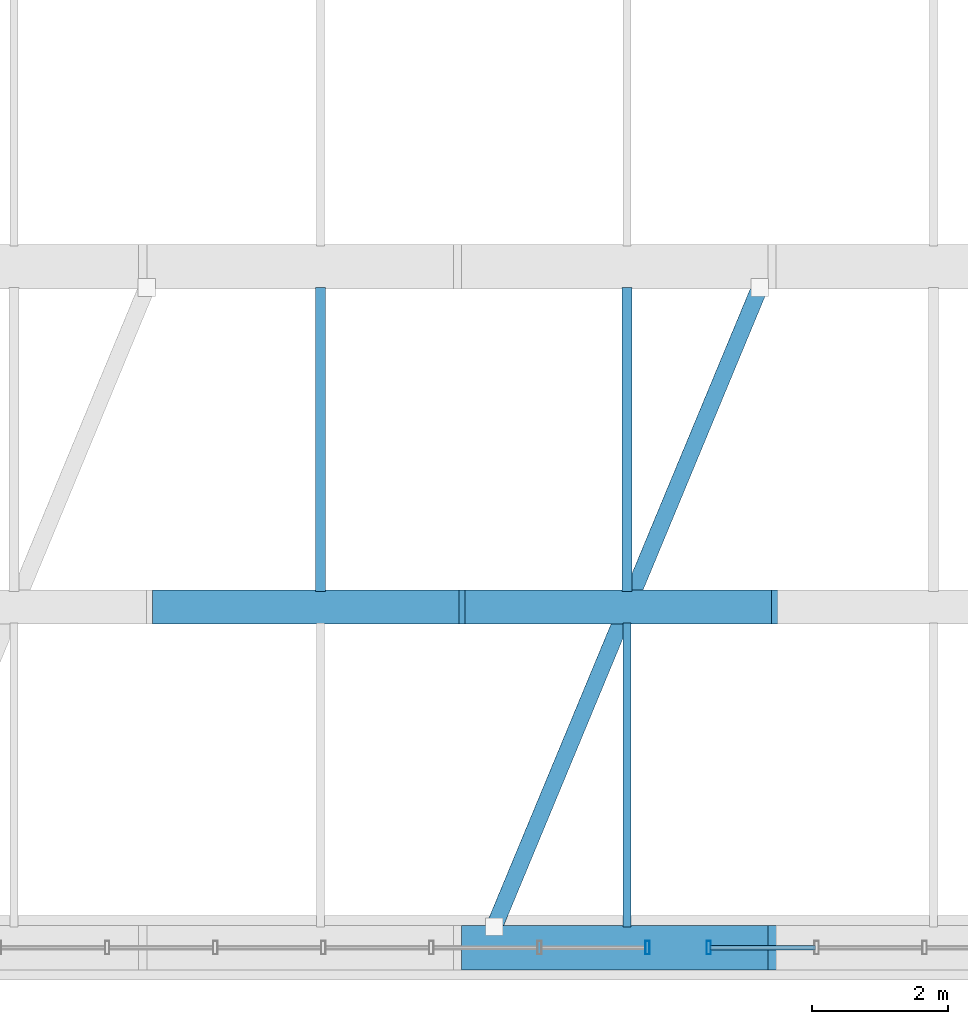
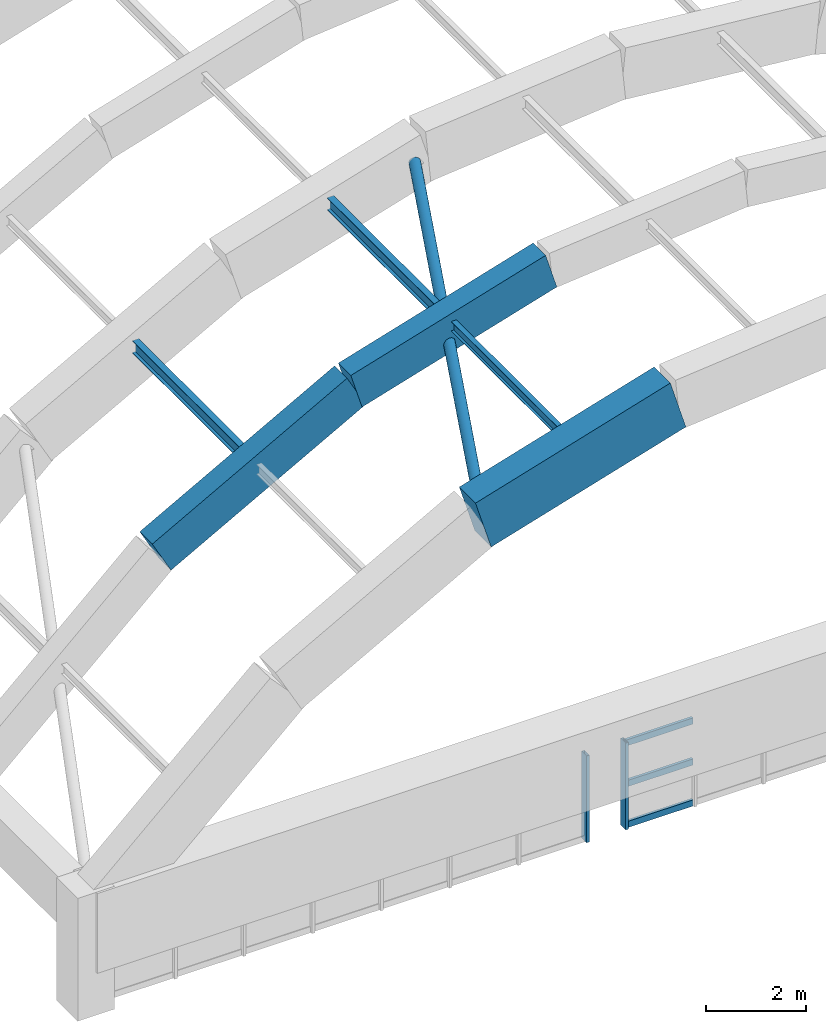
# One storey, part 62 of 111: 9 members, 3 beams, 2 elements without a shape of their own.
"""IFC4 building model written with IfcOpenShell, lengths in metres."""

from ifc_helpers import new_model, si_unit, direction, frame, origin, origin_2d, place, context, subcontext, project, spatial, rectangle, hollow_rectangle, hollow_circle, i_section, extrude, material, layer, layer_set, material_profile, profile_set, type_object, element, aggregate, save


model = new_model("IFC4")

# Units and contexts
model_context = context("Model", 3, precision=1e-05, world=origin(), true_north=direction((0.0, 1.0)))
body_context = subcontext(model_context, "Body", "Model", "MODEL_VIEW")
ifc_project = project(units=[si_unit("LENGTHUNIT", "METRE"), si_unit("AREAUNIT", "SQUARE_METRE"), si_unit("VOLUMEUNIT", "CUBIC_METRE"), si_unit("PLANEANGLEUNIT", "RADIAN"), si_unit("MASSUNIT", "GRAM", prefix="KILO")], contexts=[model_context])

# Site, building, storey
site_placement = place(None, origin())
site = spatial("IfcSite", under=ifc_project, at=site_placement, CompositionType="ELEMENT")
building_placement = place(site_placement, origin())
building = spatial("IfcBuilding", under=site, at=building_placement, Name="Mersad Railyard Sports Hall", CompositionType="ELEMENT")
storey_placement = place(building_placement, frame((0.0, 0.0, 9.0)))
storey = spatial("IfcBuildingStorey", under=building, at=storey_placement, Name="L02", CompositionType="ELEMENT", Elevation=9.0)

# Curtain wall, member
ifc_material_1 = material(Name="Aluminium 6063-T6", Category="aluminium")
ifc_layer_1 = layer(ifc_material_1, 0.199951171875)
ifc_layer_set_1 = layer_set([ifc_layer_1], Name="Aluminium 6063-T6")
curtain_wall_type_1 = type_object("IfcCurtainWallType", Name="ARC-CW-CW11", PredefinedType="USERDEFINED", material=ifc_layer_set_1)
curtain_wall_1_placement = place(storey_placement, origin())
curtain_wall_1 = element("IfcCurtainWall", 1, at=curtain_wall_1_placement, inside=storey, type_object=curtain_wall_type_1, Name="Curtain wall CW11-0038", ObjectType="CURTAIN WALL", PredefinedType="USERDEFINED")
ifc_material_profile_1 = material_profile(ifc_material_1, hollow_rectangle(XDim=0.06494140625, YDim=0.199951171875, WallThickness=0.0048828125, at=origin_2d()), Name="AL MULLION 65x200x5")
ifc_profile_set_1 = profile_set([ifc_material_profile_1], Name="Aluminium 6063-T6")
member_type_1 = type_object("IfcMemberType", Name="ARC-CW-MUL02", PredefinedType="MULLION", material=ifc_profile_set_1)
member_1_placement = place(storey_placement, frame((148.550048828125, 3.5, -0.02001953125), z_axis=(0.0, 0.0, 1.0), x_axis=(1.0, 0.0, 0.0)))
member_1 = element("IfcMember", 2, at=member_1_placement, type_object=member_type_1, Name="CW11 Mullion 1", PredefinedType="MULLION", context=body_context, shape_type="SweptSolid", body=[
    extrude(hollow_rectangle(XDim=0.06494140625, YDim=0.199951171875, WallThickness=0.0048828125, at=origin_2d()), origin(), (0.0, 0.0, 1.0), 2.1201171875),
])
aggregate(curtain_wall_1, [member_1])

# Curtain wall, members
ifc_layer_2 = layer(ifc_material_1, 0.199951171875)
ifc_layer_set_2 = layer_set([ifc_layer_2], Name="Aluminium 6063-T6")
curtain_wall_type_2 = type_object("IfcCurtainWallType", Name="ARC-CW-CW13", PredefinedType="USERDEFINED", material=ifc_layer_set_2)
curtain_wall_2_placement = place(storey_placement, origin())
curtain_wall_2 = element("IfcCurtainWall", 3, at=curtain_wall_2_placement, inside=storey, type_object=curtain_wall_type_2, Name="Curtain wall CW13-0040", ObjectType="CURTAIN WALL", PredefinedType="USERDEFINED")
member_2_placement = place(storey_placement, frame((149.449951171875, 3.5, -0.02001953125), z_axis=(0.0, 0.0, 1.0), x_axis=(1.0, 0.0, 0.0)))
member_2 = element("IfcMember", 4, at=member_2_placement, type_object=member_type_1, Name="CW13 Mullion 8", PredefinedType="MULLION", context=body_context, shape_type="SweptSolid", body=[
    extrude(hollow_rectangle(XDim=0.06494140625, YDim=0.199951171875, WallThickness=0.0048828125, at=origin_2d()), origin(), (0.0, 0.0, 1.0), 2.1201171875),
])
ifc_material_profile_2 = material_profile(ifc_material_1, hollow_rectangle(XDim=0.06494140625, YDim=0.14990234375, WallThickness=0.00439453125, at=origin_2d()), Name="AL TRANSOM 65x150x4.5")
ifc_profile_set_2 = profile_set([ifc_material_profile_2], Name="Aluminium 6063-T6")
member_type_2 = type_object("IfcMemberType", Name="ARC-CW-TRN02", PredefinedType="USERDEFINED", material=ifc_profile_set_2)
member_3_placement = place(storey_placement, frame((151.015625, 3.5, 0.0400390625), z_axis=(-1.0, 0.0, 0.0), x_axis=(0.0, -1.0, 0.0)))
member_3 = element("IfcMember", 5, at=member_3_placement, type_object=member_type_2, Name="CW13 Transom 1-7", ObjectType="TRANSOM", PredefinedType="USERDEFINED", context=body_context, shape_type="SweptSolid", body=[
    extrude(hollow_rectangle(XDim=0.06494140625, YDim=0.14990234375, WallThickness=0.00439453125, at=origin_2d()), origin(), (0.0, 0.0, 1.0), 1.545654296875),
])
member_4_placement = place(storey_placement, frame((151.015625, 3.5, 1.0400390625), z_axis=(-1.0, 0.0, 0.0), x_axis=(0.0, -1.0, 0.0)))
member_4 = element("IfcMember", 6, at=member_4_placement, type_object=member_type_2, Name="CW13 Transom 2-7", ObjectType="TRANSOM", PredefinedType="USERDEFINED", context=body_context, shape_type="SweptSolid", body=[
    extrude(hollow_rectangle(XDim=0.06494140625, YDim=0.14990234375, WallThickness=0.00439453125, at=origin_2d()), origin(), (0.0, 0.0, 1.0), 1.545654296875),
])
member_5_placement = place(storey_placement, frame((151.015625, 3.5, 2.0400390625), z_axis=(-1.0, 0.0, 0.0), x_axis=(0.0, -1.0, 0.0)))
member_5 = element("IfcMember", 7, at=member_5_placement, type_object=member_type_2, Name="CW13 Transom 3-7", ObjectType="TRANSOM", PredefinedType="USERDEFINED", context=body_context, shape_type="SweptSolid", body=[
    extrude(hollow_rectangle(XDim=0.06494140625, YDim=0.14990234375, WallThickness=0.00439453125, at=origin_2d()), origin(), (0.0, 0.0, 1.0), 1.545654296875),
])
aggregate(curtain_wall_2, [member_2, member_3, member_4, member_5])

# Beams
ifc_material_2 = material(Name="Architectural concrete C50/60", Category="concrete")
ifc_material_profile_3 = material_profile(ifc_material_2, rectangle(XDim=0.64990234375, YDim=1.25, at=origin_2d()), Name="VR 650x1250")
ifc_profile_set_3 = profile_set([ifc_material_profile_3], Name="Architectural concrete C50/60")
beam_type_1 = type_object("IfcBeamType", Name="STR-BM-VR01", PredefinedType="BEAM", material=ifc_profile_set_3)
beam_1_placement = place(storey_placement, frame((146.0, 3.5, 8.757080078125), z_axis=(0.957376232028, 0.0, 0.288843816531), x_axis=(0.0, 1.0, 0.0)))
element("IfcBeam", 8, at=beam_1_placement, inside=storey, type_object=beam_type_1, Name="Beam VR01-0723", PredefinedType="BEAM", context=body_context, shape_type="SweptSolid", body=[
    extrude(rectangle(XDim=0.64990234375, YDim=1.25, at=origin_2d()), origin(), (0.0, 0.0, 1.0), 4.700439453125),
])
ifc_material_profile_4 = material_profile(ifc_material_2, rectangle(XDim=0.5, YDim=0.89990234375, at=origin_2d()), Name="VR 500x900")
ifc_profile_set_4 = profile_set([ifc_material_profile_4], Name="Architectural concrete C50/60")
beam_type_2 = type_object("IfcBeamType", Name="STR-BM-VR02", PredefinedType="BEAM", material=ifc_profile_set_4)
beam_2_placement = place(storey_placement, frame((141.5, 8.5, 6.47216796875), z_axis=(0.876227952683, 0.0, 0.48189685093), x_axis=(0.0, 1.0, 0.0)))
element("IfcBeam", 9, at=beam_2_placement, inside=storey, type_object=beam_type_2, Name="Beam VR02-0730", PredefinedType="BEAM", context=body_context, shape_type="SweptSolid", body=[
    extrude(rectangle(XDim=0.5, YDim=0.89990234375, at=origin_2d()), origin(), (0.0, 0.0, 1.0), 5.1357421875),
])
beam_3_placement = place(storey_placement, frame((146.0, 8.5, 8.947021484375), z_axis=(0.957361867705, 0.0, 0.288891422969), x_axis=(0.0, 1.0, 0.0)))
element("IfcBeam", 10, at=beam_3_placement, inside=storey, type_object=beam_type_2, Name="Beam VR02-0731", PredefinedType="BEAM", context=body_context, shape_type="SweptSolid", body=[
    extrude(rectangle(XDim=0.5, YDim=0.89990234375, at=origin_2d()), origin(), (0.0, 0.0, 1.0), 4.700439453125),
])

# Members
ifc_material_3 = material(Name="Steel S355", Category="steel")
ifc_material_profile_5 = material_profile(ifc_material_3, hollow_circle(Radius=0.122314453125, WallThickness=0.012451171875, at=origin_2d()), Name="CHS 244.5x12.5")
ifc_profile_set_5 = profile_set([ifc_material_profile_5], Name="Steel S355")
member_type_3 = type_object("IfcMemberType", Name="STR-MEM-BR01", PredefinedType="BRACE", material=ifc_profile_set_5)
member_6_placement = place(storey_placement, frame((146.300048828125, 3.804931640625, 8.72705078125), z_axis=(0.380179270822, 0.915390954948, 0.132374928278), x_axis=(-0.923518176545, 0.383554660499, 0.0)))
element("IfcMember", 11, at=member_6_placement, inside=storey, type_object=member_type_3, Name="Structural member BR01-0111", PredefinedType="BRACE", context=body_context, shape_type="SweptSolid", body=[
    extrude(hollow_circle(Radius=0.122314453125, WallThickness=0.012451171875, at=origin_2d()), origin(), (0.0, 0.0, 1.0), 10.258056640625),
])
ifc_material_profile_6 = material_profile(ifc_material_3, i_section(OverallWidth=0.1201171875, OverallDepth=0.239990234375, WebThickness=0.006103515625, FlangeThickness=0.009765625, at=origin_2d()), Name="IPE 240")
ifc_profile_set_6 = profile_set([ifc_material_profile_6], Name="Steel S355")
member_type_4 = type_object("IfcMemberType", Name="STR-MEM-PU01", PredefinedType="PURLIN", material=ifc_profile_set_6)
member_7_placement = place(storey_placement, frame((148.25, 3.804931640625, 9.765869140625), z_axis=(0.0, 1.0, 0.0), x_axis=(-1.0, 0.0, 0.0)))
element("IfcMember", 12, at=member_7_placement, inside=storey, type_object=member_type_4, Name="Structural member PU01-0098", PredefinedType="PURLIN", context=body_context, shape_type="SweptSolid", body=[
    extrude(i_section(OverallWidth=0.1201171875, OverallDepth=0.239990234375, WebThickness=0.006103515625, FlangeThickness=0.009765625, at=origin_2d()), origin(), (0.0, 0.0, 1.0), 4.465087890625),
])
ifc_material_profile_7 = material_profile(ifc_material_3, i_section(OverallWidth=0.14990234375, OverallDepth=0.300048828125, WebThickness=0.007080078125, FlangeThickness=0.0107421875, at=origin_2d()), Name="IPE 300")
ifc_profile_set_7 = profile_set([ifc_material_profile_7], Name="Steel S355")
member_type_5 = type_object("IfcMemberType", Name="STR-MEM-PU02", PredefinedType="PURLIN", material=ifc_profile_set_7)
for number, where, z_axis, x_axis, name in (
    (13, (143.75, 8.72998046875, 7.849609375), (0.0, 1.0, 0.0), (-1.0, 0.0, 0.0), "Structural member PU02-0097"),
    (14, (148.25, 8.72998046875, 9.765869140625), (0.0, 1.0, 0.0), (-1.0, 0.0, 0.0), "Structural member PU02-0099"),
):
    element("IfcMember", number, at=place(storey_placement, frame(where, z_axis=z_axis, x_axis=x_axis)), inside=storey, type_object=member_type_5, Name=name, PredefinedType="PURLIN", context=body_context, shape_type="SweptSolid", body=[
        extrude(i_section(OverallWidth=0.14990234375, OverallDepth=0.300048828125, WebThickness=0.007080078125, FlangeThickness=0.0107421875, at=origin_2d()), origin(), (0.0, 0.0, 1.0), 4.465087890625),
    ])

save(model, "model.ifc")
